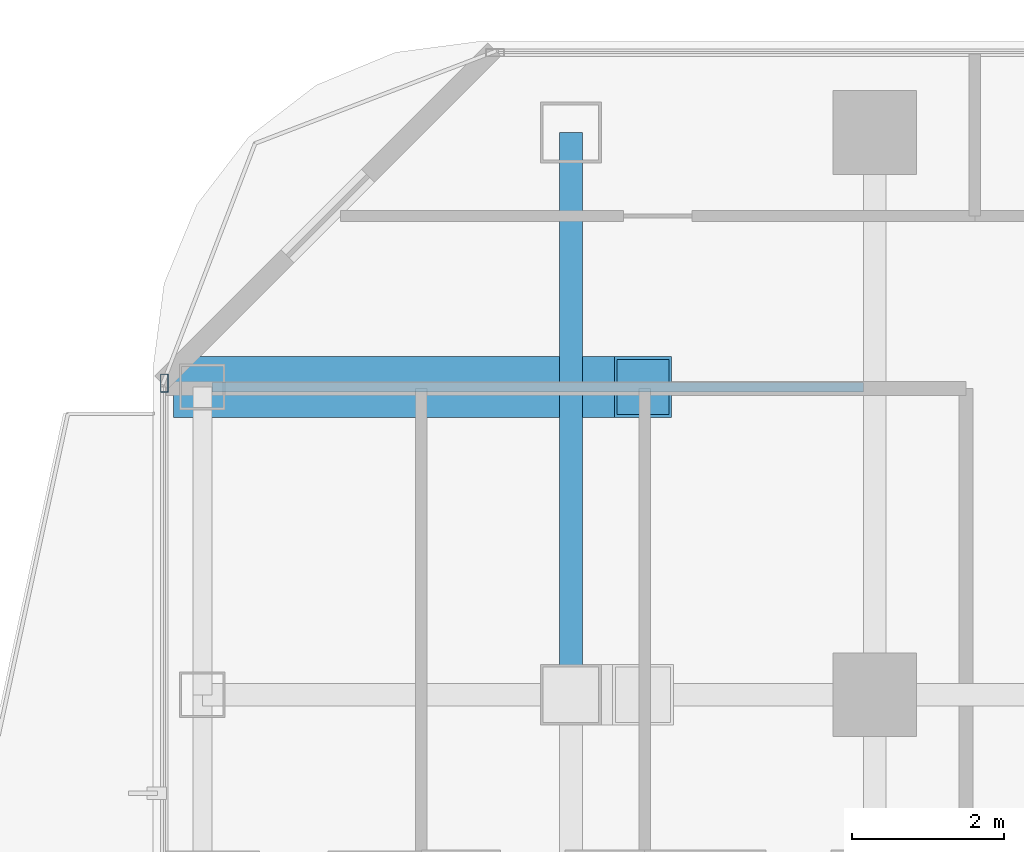
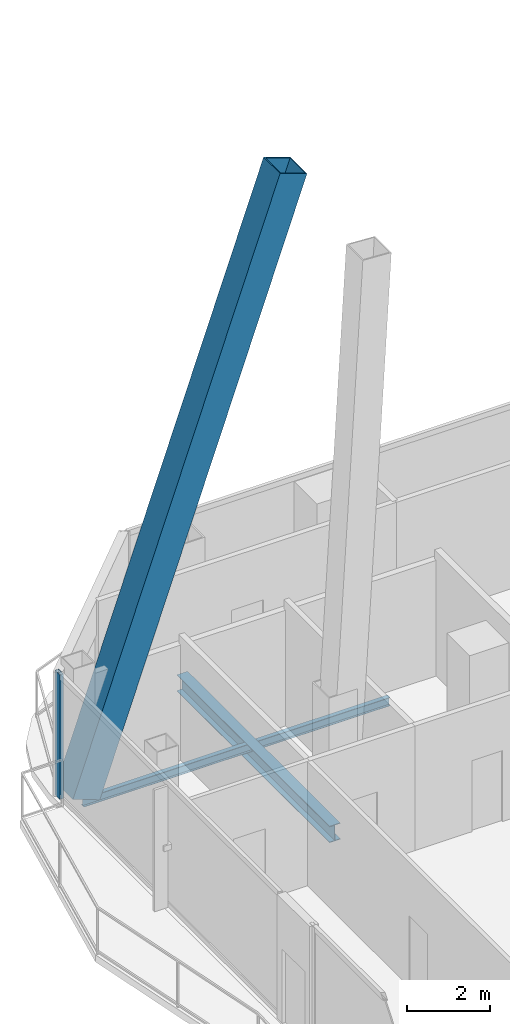
# One storey, part 14 of 27: 2 beams, 2 members, 1 element without a shape of its own.
"""IFC4 building model written with IfcOpenShell, lengths in metres."""

from ifc_helpers import new_model, si_unit, direction, frame, origin, origin_2d, place, context, subcontext, project, spatial, hollow_rectangle, i_section, extrude, material, layer, layer_set, material_profile, profile_set, type_object, element, aggregate, save


model = new_model("IFC4")

# Units and contexts
model_context = context("Model", 3, precision=1e-05, world=origin(), true_north=direction((0.0, 1.0)))
body_context = subcontext(model_context, "Body", "Model", "MODEL_VIEW")
ifc_project = project(units=[si_unit("LENGTHUNIT", "METRE"), si_unit("AREAUNIT", "SQUARE_METRE"), si_unit("VOLUMEUNIT", "CUBIC_METRE"), si_unit("PLANEANGLEUNIT", "RADIAN"), si_unit("MASSUNIT", "GRAM", prefix="KILO")], contexts=[model_context])

# Site, building, storey
site_placement = place(None, origin())
site = spatial("IfcSite", under=ifc_project, at=site_placement, CompositionType="ELEMENT")
building_placement = place(site_placement, origin())
building = spatial("IfcBuilding", under=site, at=building_placement, Name="Khorvyn Point Tower", CompositionType="ELEMENT")
storey_placement = place(building_placement, frame((0.0, 0.0, 203.10009765625)))
storey = spatial("IfcBuildingStorey", under=building, at=storey_placement, Name="L50", CompositionType="ELEMENT", Elevation=203.10009765625)

# Curtain wall, member
ifc_material_1 = material(Name="Anodised aluminium 6063-T6 and laminated Low-E glass", Category="aluminium")
ifc_layer = layer(ifc_material_1, 0.18994140625)
ifc_layer_set = layer_set([ifc_layer], Name="Stick-Built Acoustic Curtain Wall CW-SYS-03")
curtain_wall_type = type_object("IfcCurtainWallType", Name="Stick-Built Acoustic Curtain Wall CW-SYS-03", PredefinedType="NOTDEFINED", material=ifc_layer_set)
curtain_wall_placement = place(storey_placement, origin())
curtain_wall = element("IfcCurtainWall", 1, at=curtain_wall_placement, inside=storey, type_object=curtain_wall_type, Name="Curtain Wall", PredefinedType="NOTDEFINED")
ifc_material_2 = material(Name="Anodised aluminium 6063-T6", Category="aluminium")
ifc_material_profile_1 = material_profile(ifc_material_2, hollow_rectangle(XDim=0.10009765625, YDim=0.239990234375, WallThickness=0.0048828125, at=origin_2d()))
ifc_profile_set_1 = profile_set([ifc_material_profile_1], Name="Anodised aluminium 6063-T6 ALU-MUL-100x240")
member_type_1 = type_object("IfcMemberType", Name="Anodised Aluminium 6063-T6 Mullion ALU-MUL-100x240", PredefinedType="MULLION", material=ifc_profile_set_1)
member_1_placement = place(storey_placement, frame((-24.14990234375, 11.5, 0.0), z_axis=(0.0, 0.0, 1.0), x_axis=(-1.0, 0.0, 0.0)))
member_1 = element("IfcMember", 2, at=member_1_placement, type_object=member_type_1, Name="Transom", PredefinedType="MULLION", context=body_context, shape_type="SweptSolid", body=[
    extrude(hollow_rectangle(XDim=0.10009765625, YDim=0.239990234375, WallThickness=0.0048828125, at=origin_2d()), origin(), (0.0, 0.0, 1.0), 3.679931640625),
])
aggregate(curtain_wall, [member_1])

# Beams
ifc_material_3 = material(Name="Steel S355", Category="steel")
ifc_material_profile_2 = material_profile(ifc_material_3, i_section(OverallWidth=0.125, OverallDepth=0.25, WebThickness=0.006103515625, FlangeThickness=0.009033203125, at=origin_2d()))
ifc_profile_set_2 = profile_set([ifc_material_profile_2], Name="Steel S355 H250x125x6x9")
beam_type_1 = type_object("IfcBeamType", Name="Steel S355 Joist H250x125x6x9", PredefinedType="JOIST", material=ifc_profile_set_2)
beam_1_placement = place(storey_placement, frame((-23.52490234375, 11.449951171875, -0.34521484375), z_axis=(1.0, 0.0, 0.0), x_axis=(0.0, 1.0, 0.0)))
element("IfcBeam", 3, at=beam_1_placement, inside=storey, type_object=beam_type_1, Name="Beam", PredefinedType="JOIST", context=body_context, shape_type="SweptSolid", body=[
    extrude(i_section(OverallWidth=0.125, OverallDepth=0.25, WebThickness=0.006103515625, FlangeThickness=0.009033203125, at=origin_2d()), origin(), (0.0, 0.0, 1.0), 8.574951171875),
])
ifc_material_profile_3 = material_profile(ifc_material_3, i_section(OverallWidth=0.300048828125, OverallDepth=0.488037109375, WebThickness=0.010986328125, FlangeThickness=0.01806640625, at=origin_2d()))
ifc_profile_set_3 = profile_set([ifc_material_profile_3], Name="Steel S355 H488x300x11x18")
beam_type_2 = type_object("IfcBeamType", Name="Steel S355 Spandrel H488x300x11x18", PredefinedType="SPANDREL", material=ifc_profile_set_3)
beam_2_placement = place(storey_placement, frame((-18.800048828125, 7.39990234375, -0.464111328125), z_axis=(0.0, 1.0, 0.0), x_axis=(-1.0, 0.0, 0.0)))
element("IfcBeam", 4, at=beam_2_placement, inside=storey, type_object=beam_type_2, Name="Beam", PredefinedType="SPANDREL", context=body_context, shape_type="SweptSolid", body=[
    extrude(i_section(OverallWidth=0.300048828125, OverallDepth=0.488037109375, WebThickness=0.010986328125, FlangeThickness=0.01806640625, at=origin_2d()), origin(), (0.0, 0.0, 1.0), 7.400146484375),
])

# Member
ifc_material_4 = material(Name="Steel S450", Category="steel")
ifc_material_profile_4 = material_profile(ifc_material_4, hollow_rectangle(XDim=0.800048828125, YDim=0.800048828125, WallThickness=0.035888671875, at=origin_2d()))
ifc_profile_set_4 = profile_set([ifc_material_profile_4], Name="Steel S450 BOX800x800x36")
member_type_2 = type_object("IfcMemberType", Name="Steel S450 Exoskeleton Structural Post BOX800x800x36", PredefinedType="POST", material=ifc_profile_set_4)
member_2_placement = place(storey_placement, frame((-23.64990234375, 11.449951171875, 0.0), z_axis=(0.331613602949, 0.0, 0.943415294735), x_axis=(0.0, 1.0, 0.0)))
element("IfcMember", 5, at=member_2_placement, inside=storey, type_object=member_type_2, Name="L50 to L54 Exoskeleton Transfer Post 05", PredefinedType="POST", context=body_context, shape_type="SweptSolid", body=[
    extrude(hollow_rectangle(XDim=0.800048828125, YDim=0.800048828125, WallThickness=0.035888671875, at=origin_2d()), origin(), (0.0, 0.0, 1.0), 17.48974609375),
])

save(model, "model.ifc")
